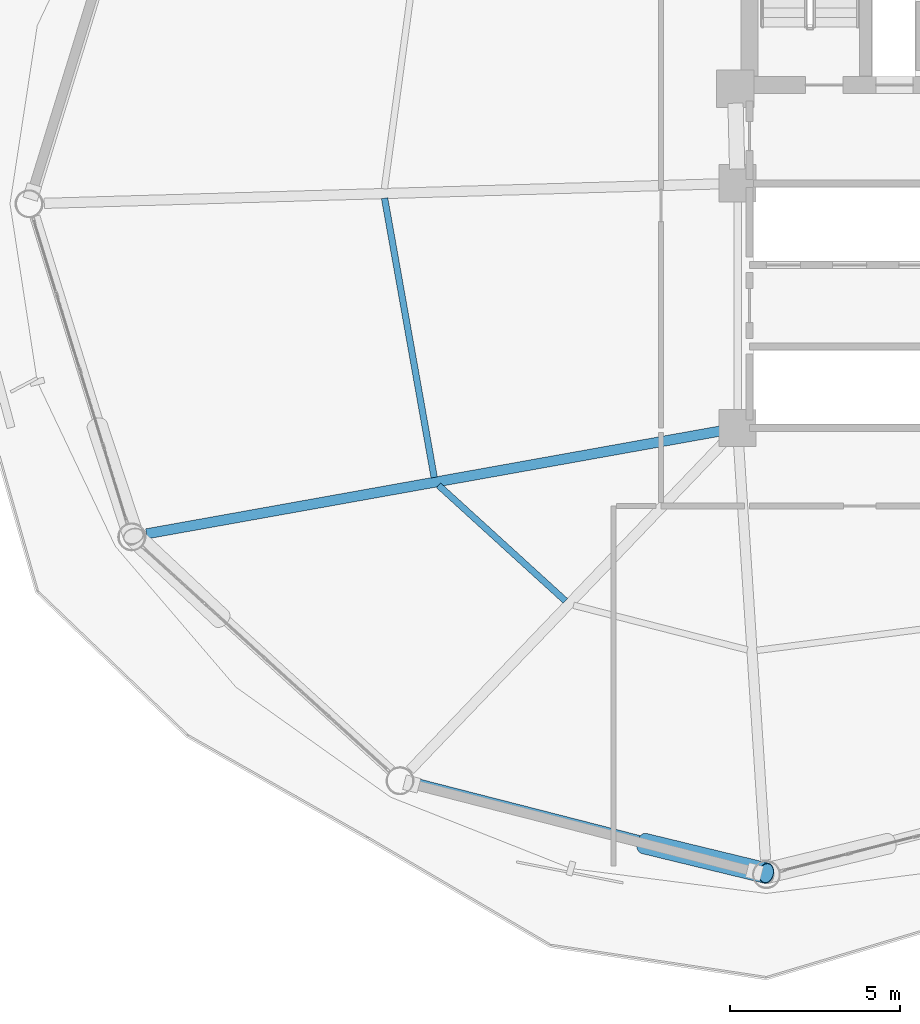
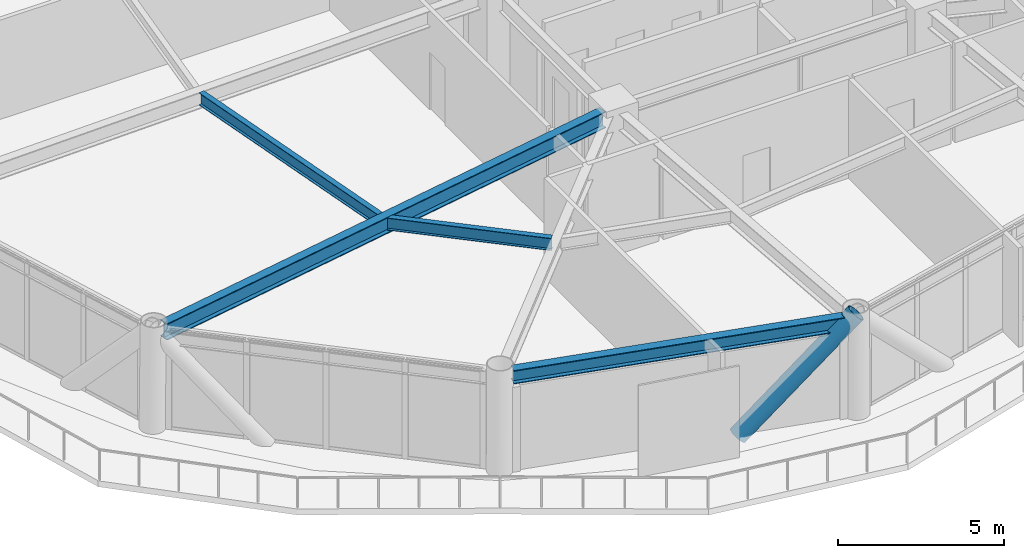
# One storey, part 4 of 26: 4 beams, 1 member.
"""IFC4 building model written with IfcOpenShell, lengths in metres."""

from ifc_helpers import new_model, si_unit, direction, frame, origin, origin_2d, place, context, subcontext, project, spatial, hollow_circle, i_section, extrude, material, material_profile, profile_set, type_object, element, save


model = new_model("IFC4")

# Units and contexts
model_context = context("Model", 3, precision=1e-05, world=origin(), true_north=direction((0.0, 1.0)))
body_context = subcontext(model_context, "Body", "Model", "MODEL_VIEW")
ifc_project = project(units=[si_unit("LENGTHUNIT", "METRE"), si_unit("AREAUNIT", "SQUARE_METRE"), si_unit("VOLUMEUNIT", "CUBIC_METRE"), si_unit("PLANEANGLEUNIT", "RADIAN"), si_unit("MASSUNIT", "GRAM", prefix="KILO")], contexts=[model_context])

# Site, building, storey
site_placement = place(None, origin())
site = spatial("IfcSite", under=ifc_project, at=site_placement, CompositionType="ELEMENT")
building_placement = place(site_placement, origin())
building = spatial("IfcBuilding", under=site, at=building_placement, Name="Varnakorn Sky Granary", CompositionType="ELEMENT")
storey_placement = place(building_placement, frame((0.0, 0.0, 95.39990234375)))
storey = spatial("IfcBuildingStorey", under=building, at=storey_placement, Name="L23", CompositionType="ELEMENT", Elevation=95.39990234375)

# Beams
ifc_material_1 = material(Name="Steel S355JR", Category="steel")
ifc_material_profile_1 = material_profile(ifc_material_1, i_section(OverallWidth=0.300048828125, OverallDepth=0.60009765625, WebThickness=0.015380859375, FlangeThickness=0.030029296875, at=origin_2d()), Name="HE 600 B")
ifc_profile_set_1 = profile_set([ifc_material_profile_1], Name="Steel S355JR")
beam_type_1 = type_object("IfcBeamType", Name="BM-RAD-Z2", PredefinedType="BEAM", material=ifc_profile_set_1)
beam_1_placement = place(storey_placement, frame((-2.763427734375, -6.674072265625, 3.340087890625), z_axis=(-0.984325353216, -0.176362124667, 0.0), x_axis=(0.176362124667, -0.984325353216, 0.0)))
element("IfcBeam", 1, at=beam_1_placement, inside=storey, type_object=beam_type_1, Name="Radial Floor Girder RG08 L23", PredefinedType="BEAM", context=body_context, shape_type="SweptSolid", body=[
    extrude(i_section(OverallWidth=0.300048828125, OverallDepth=0.60009765625, WebThickness=0.015380859375, FlangeThickness=0.030029296875, at=origin_2d()), origin(), (0.0, 0.0, 1.0), 17.254150390625),
])
ifc_material_profile_2 = material_profile(ifc_material_1, i_section(OverallWidth=0.18994140625, OverallDepth=0.449951171875, WebThickness=0.009521484375, FlangeThickness=0.0146484375, at=origin_2d()), Name="IPE 450")
ifc_profile_set_2 = profile_set([ifc_material_profile_2], Name="Steel S355JR")
beam_type_2 = type_object("IfcBeamType", Name="BM-SEC-Z2", PredefinedType="BEAM", material=ifc_profile_set_2)
beam_2_placement = place(storey_placement, frame((-12.73974609375, 0.161865234375, 3.4150390625), z_axis=(0.174884658181, -0.98458892759, 0.0), x_axis=(0.98458892759, 0.174884658181, 0.0)))
element("IfcBeam", 2, at=beam_2_placement, inside=storey, type_object=beam_type_2, Name="Secondary Floor Chord Beam MSB07 L23", PredefinedType="BEAM", context=body_context, shape_type="SweptSolid", body=[
    extrude(i_section(OverallWidth=0.18994140625, OverallDepth=0.449951171875, WebThickness=0.009521484375, FlangeThickness=0.0146484375, at=origin_2d()), origin(), (0.0, 0.0, 1.0), 8.34814453125),
])
beam_3_placement = place(storey_placement, frame((-11.151611328125, -8.289794921875, 3.4150390625), z_axis=(0.739347107748, -0.673324479181, 0.0), x_axis=(0.673324479181, 0.739347107748, 0.0)))
element("IfcBeam", 3, at=beam_3_placement, inside=storey, type_object=beam_type_2, Name="Secondary Floor Chord Beam MSB08 L23", PredefinedType="BEAM", context=body_context, shape_type="SweptSolid", body=[
    extrude(i_section(OverallWidth=0.18994140625, OverallDepth=0.449951171875, WebThickness=0.009521484375, FlangeThickness=0.0146484375, at=origin_2d()), origin(), (0.0, 0.0, 1.0), 5.05126953125),
])
ifc_material_profile_3 = material_profile(ifc_material_1, i_section(OverallWidth=0.300048828125, OverallDepth=0.5, WebThickness=0.014404296875, FlangeThickness=0.028076171875, at=origin_2d()), Name="HE 500 B")
ifc_profile_set_3 = profile_set([ifc_material_profile_3], Name="Steel S355JR")
beam_type_3 = type_object("IfcBeamType", Name="BM-SPD-Z2", PredefinedType="SPANDREL", material=ifc_profile_set_3)
beam_4_placement = place(storey_placement, frame((-11.87841796875, -17.047119140625, 3.39013671875), z_axis=(0.968691144686, -0.248268939272, 0.0), x_axis=(0.248268939272, 0.968691144686, 0.0)))
element("IfcBeam", 4, at=beam_4_placement, inside=storey, type_object=beam_type_3, Name="Perimeter Spandrel Ring Beam RB09 L23", PredefinedType="SPANDREL", context=body_context, shape_type="SweptSolid", body=[
    extrude(i_section(OverallWidth=0.300048828125, OverallDepth=0.5, WebThickness=0.014404296875, FlangeThickness=0.028076171875, at=origin_2d()), origin(), (0.0, 0.0, 1.0), 10.322509765625),
])

# Member
ifc_material_2 = material(Name="Steel S460M", Category="steel")
ifc_material_profile_4 = material_profile(ifc_material_2, hollow_circle(Radius=0.304931640625, WallThickness=0.022216796875, at=origin_2d()), Name="CHS 610x22")
ifc_profile_set_4 = profile_set([ifc_material_profile_4], Name="Steel S460M")
member_type = type_object("IfcMemberType", Name="MB-DIAG-T1", PredefinedType="BRACE", material=ifc_profile_set_4)
member_placement = place(storey_placement, frame((-5.096923828125, -18.833740234375, -0.1298828125), z_axis=(0.680806572136, -0.165291869173, 0.713569204298), x_axis=(0.235934152698, 0.971769044367, 0.0)))
element("IfcMember", 5, at=member_placement, inside=storey, type_object=member_type, Name="Perimeter CHS Diagrid Brace DG09 L23", PredefinedType="BRACE", context=body_context, shape_type="SweptSolid", body=[
    extrude(hollow_circle(Radius=0.304931640625, WallThickness=0.022216796875, at=origin_2d()), origin(), (0.0, 0.0, 1.0), 5.283447265625),
])

save(model, "model.ifc")
